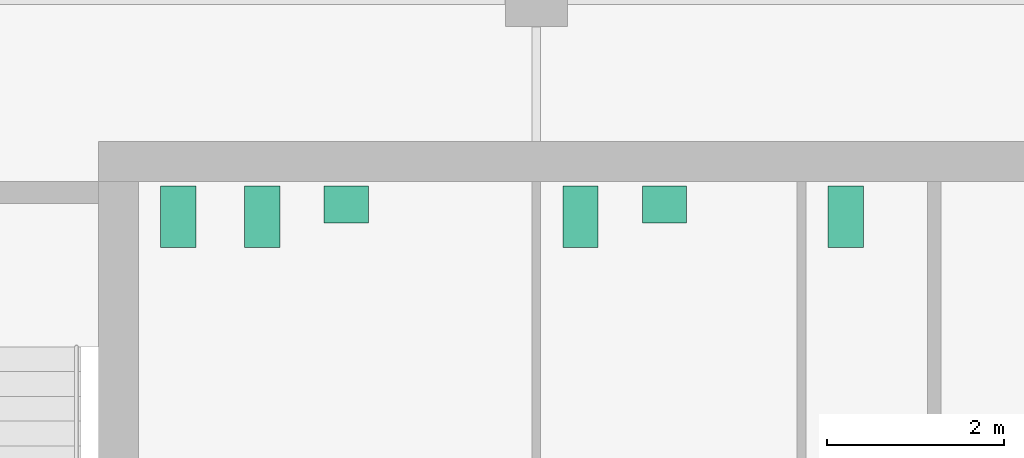
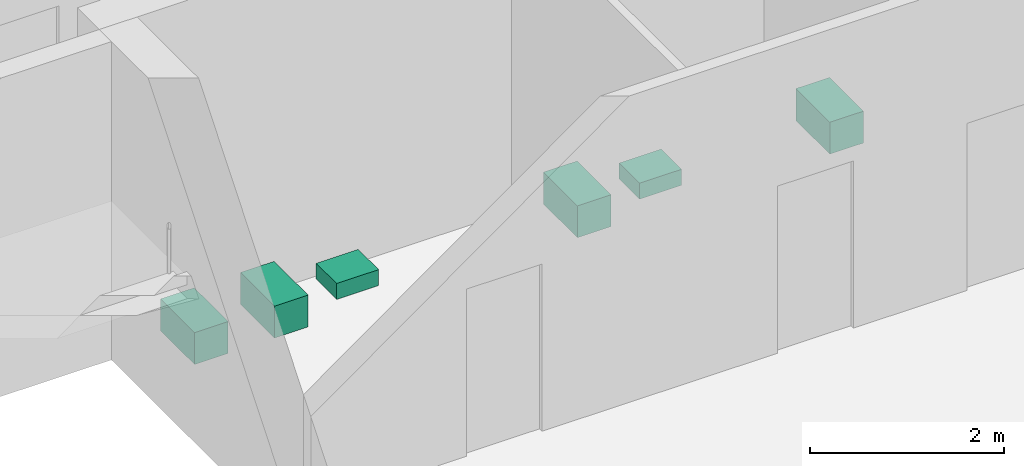
# One storey, part 7 of 7: 6 sanitary terminals.
"""IFC4 building model written with IfcOpenShell, lengths in metres."""

from ifc_helpers import new_model, si_unit, direction, frame, origin, origin_2d, place, context, subcontext, project, spatial, rectangle, extrude, material, type_object, element, save


model = new_model("IFC4")

# Units and contexts
model_context = context("Model", 3, precision=1e-05, world=origin(), true_north=direction((0.0, 1.0)))
body_context = subcontext(model_context, "Body", "Model", "MODEL_VIEW")
ifc_project = project(units=[si_unit("LENGTHUNIT", "METRE"), si_unit("AREAUNIT", "SQUARE_METRE"), si_unit("VOLUMEUNIT", "CUBIC_METRE"), si_unit("PLANEANGLEUNIT", "RADIAN"), si_unit("MASSUNIT", "GRAM", prefix="KILO")], contexts=[model_context])

# Site, building, storey
site_placement = place(None, origin())
site = spatial("IfcSite", under=ifc_project, at=site_placement, CompositionType="ELEMENT")
building_placement = place(site_placement, origin())
building = spatial("IfcBuilding", under=site, at=building_placement, Name="Cinnabar Reach Civic Tower", CompositionType="ELEMENT")
storey_placement = place(building_placement, frame((0.0, 0.0, 275.0)))
storey = spatial("IfcBuildingStorey", under=building, at=storey_placement, Name="L66", CompositionType="ELEMENT", Elevation=275.0)

# Sanitary terminals
ifc_material = material(Name="Vitreous china")
sanitary_terminal_type_1 = type_object("IfcSanitaryTerminalType", Name="T1 WC pan", PredefinedType="TOILETPAN", material=ifc_material)
for number, where, z_axis, x_axis, name in (
    (1, (4.95, 41.6, 0.0), (0.0, 0.0, 1.0), (1.0, 0.0, 0.0), "T1 WC pan 6609-1"),
    (2, (5.9, 41.6, 0.0), (0.0, 0.0, 1.0), (1.0, 0.0, 0.0), "T1 WC pan 6609-2"),
    (3, (9.5, 41.6, 0.0), (0.0, 0.0, 1.0), (1.0, 0.0, 0.0), "T1 WC pan 6610-1"),
    (4, (12.5, 41.6, 0.0), (0.0, 0.0, 1.0), (1.0, 0.0, 0.0), "T1 WC pan 6611-1"),
):
    element("IfcSanitaryTerminal", number, at=place(storey_placement, frame(where, z_axis=z_axis, x_axis=x_axis)), inside=storey, type_object=sanitary_terminal_type_1, Name=name, PredefinedType="TOILETPAN", context=body_context, shape_type="SweptSolid", body=[
        extrude(rectangle(XDim=0.4, YDim=0.7, at=origin_2d()), origin(), (0.0, 0.0, 1.0), 0.4),
    ])
sanitary_terminal_type_2 = type_object("IfcSanitaryTerminalType", Name="T1 wash basin", PredefinedType="WASHHANDBASIN", material=ifc_material)
for number, where, z_axis, x_axis, name in (
    (5, (6.85, 41.74, 0.0), (0.0, 0.0, 1.0), (1.0, 0.0, 0.0), "T1 wash basin 6609-3"),
    (6, (10.45, 41.74, 0.0), (0.0, 0.0, 1.0), (1.0, 0.0, 0.0), "T1 wash basin 6610-2"),
):
    element("IfcSanitaryTerminal", number, at=place(storey_placement, frame(where, z_axis=z_axis, x_axis=x_axis)), inside=storey, type_object=sanitary_terminal_type_2, Name=name, PredefinedType="WASHHANDBASIN", context=body_context, shape_type="SweptSolid", body=[
        extrude(rectangle(XDim=0.5, YDim=0.42, at=origin_2d()), origin(), (0.0, 0.0, 1.0), 0.2),
    ])

save(model, "model.ifc")
